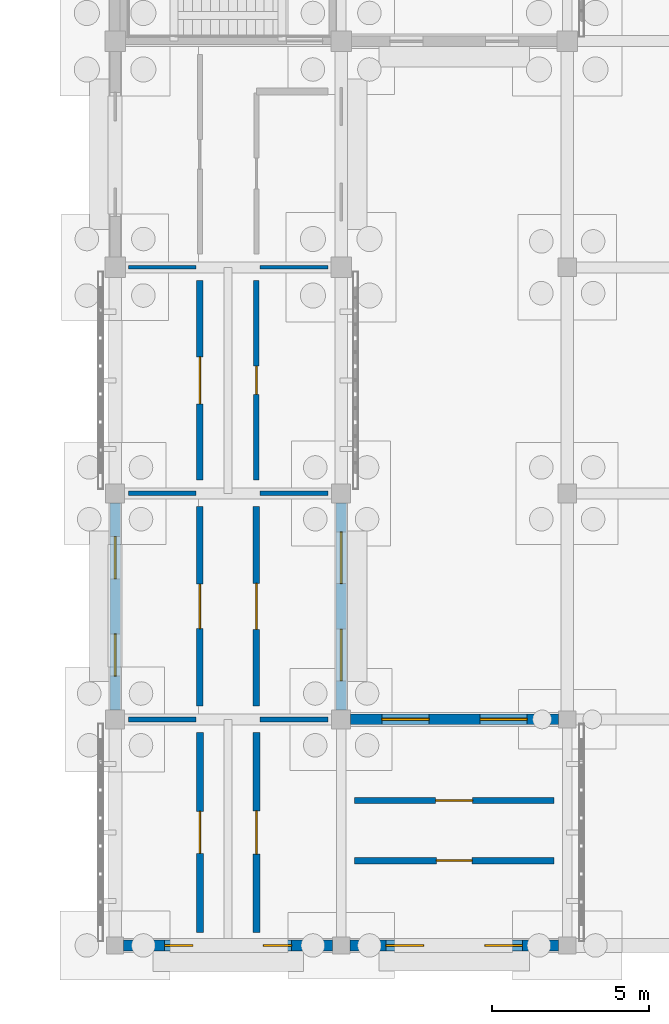
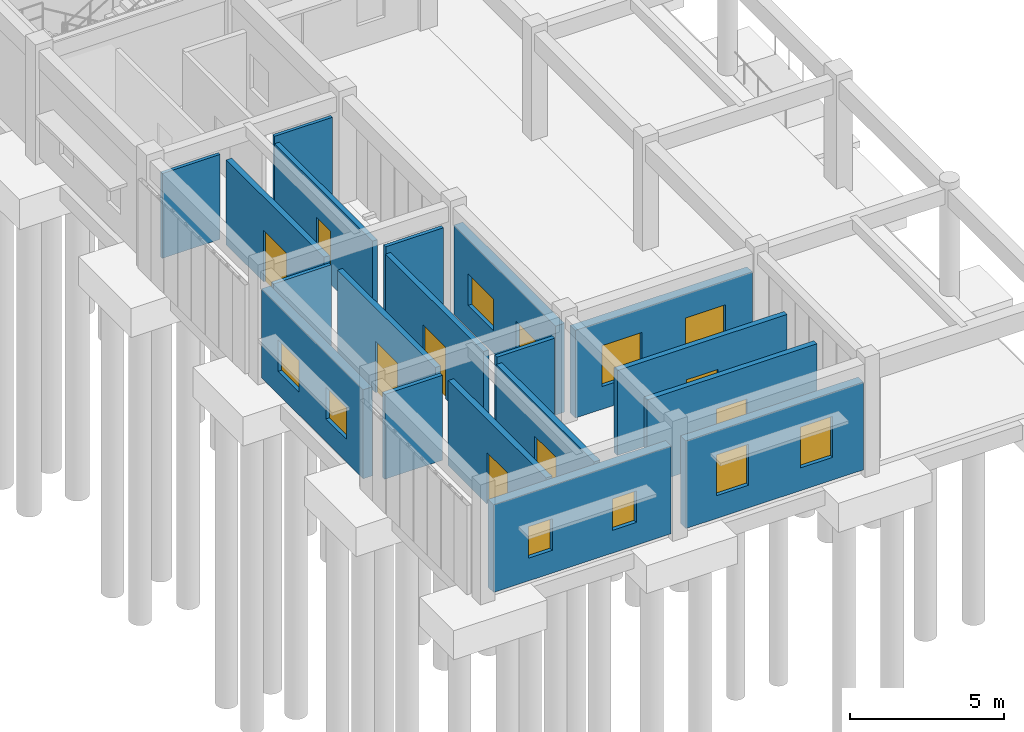
# One storey, part 62 of 111: 19 walls, 10 windows, 8 doors, 18 openings.
"""IFC4 building model written with IfcOpenShell, lengths in metres."""

from ifc_helpers import new_model, si_unit, direction, frame, frame_2d, origin, place, context, subcontext, project, spatial, rectangle, extrude, material, layer, layer_set, type_object, element, fill, save


model = new_model("IFC4")

# Units and contexts
model_context = context("Model", 3, precision=1e-05, world=origin(), true_north=direction((0.0, 1.0)))
body_context = subcontext(model_context, "Body", "Model", "MODEL_VIEW")
ifc_project = project(units=[si_unit("LENGTHUNIT", "METRE"), si_unit("AREAUNIT", "SQUARE_METRE"), si_unit("VOLUMEUNIT", "CUBIC_METRE"), si_unit("PLANEANGLEUNIT", "RADIAN"), si_unit("MASSUNIT", "GRAM", prefix="KILO")], contexts=[model_context])

# Site, building, storey
site_placement = place(None, origin())
site = spatial("IfcSite", under=ifc_project, at=site_placement, CompositionType="ELEMENT")
building_placement = place(site_placement, origin())
building = spatial("IfcBuilding", under=site, at=building_placement, Name="Aldebral Square Health Centre", CompositionType="ELEMENT")
storey_placement = place(building_placement, origin())
storey = spatial("IfcBuildingStorey", under=building, at=storey_placement, Name="L00", CompositionType="ELEMENT", Elevation=0.0)

# Wall, openings, windows
ifc_material_1 = material(Name="Cream cantera stone and concrete wall C35/45", Category="masonry")
ifc_layer_1 = layer(ifc_material_1, 0.340087890625, Name="Cream cantera stone and concrete wall C35/45", Category="masonry")
ifc_layer_set_1 = layer_set([ifc_layer_1], Name="Cream cantera stone and concrete wall C35/45")
wall_type_1 = type_object("IfcWallType", Name="EW-CAN-340", PredefinedType="SOLIDWALL", material=ifc_layer_set_1)
wall_1_placement = place(storey_placement, frame((0.0, 14.10009765625, 0.0), z_axis=(0.0, 0.0, 1.0), x_axis=(0.0, -1.0, 0.0)))
wall_1 = element("IfcWall", 1, at=wall_1_placement, inside=storey, type_object=wall_type_1, Name="L00 V6 exterior wall L00-V6-00-01-W", PredefinedType="SOLIDWALL", context=body_context, shape_type="SweptSolid", body=[
    extrude(rectangle(XDim=6.60009765625, YDim=0.340087890625, at=frame_2d((3.300048828125, 0.0))), origin(), (0.0, 0.0, 1.0), 3.52001953125),
])
opening_1_placement = place(wall_1_placement, frame((1.074951171875, 0.0, 0.89990234375)))
opening_1 = element("IfcOpeningElement", 2, at=opening_1_placement, cuts=wall_1, Name="Opening W04", PredefinedType="OPENING", context=body_context, shape_type="SweptSolid", body=[
    extrude(rectangle(XDim=1.35009765625, YDim=1.25, at=frame_2d((0.675048828125, 0.625))), frame((0.0, 0.18017578125, 0.0), z_axis=(0.0, -1.0, 0.0), x_axis=(1.0, 0.0, 0.0)), (0.0, 0.0, 1.0), 0.360107421875),
])
opening_2_placement = place(wall_1_placement, frame((4.175048828125, 0.0, 0.89990234375)))
opening_2 = element("IfcOpeningElement", 3, at=opening_2_placement, cuts=wall_1, Name="Opening W04", PredefinedType="OPENING", context=body_context, shape_type="SweptSolid", body=[
    extrude(rectangle(XDim=1.35009765625, YDim=1.25, at=frame_2d((0.675048828125, 0.625))), frame((0.0, 0.18017578125, 0.0), z_axis=(0.0, -1.0, 0.0), x_axis=(1.0, 0.0, 0.0)), (0.0, 0.0, 1.0), 0.360107421875),
])
ifc_material_2 = material(Name="Thermally broken aluminium and low-E glass", Category="aluminium")
window_type_1 = type_object("IfcWindowType", Name="WIN-W04", PartitioningType="SINGLE_PANEL", PredefinedType="WINDOW", material=ifc_material_2)
window_1_placement = place(opening_1_placement, origin())
window_1 = element("IfcWindow", 4, at=window_1_placement, inside=storey, type_object=window_type_1, Name="L00 clinical window L00-V6-00-01-W.1", OverallHeight=1.25, OverallWidth=1.35009765625, PartitioningType="SINGLE_PANEL", PredefinedType="WINDOW", context=body_context, shape_type="SweptSolid", body=[
    extrude(rectangle(XDim=1.35009765625, YDim=1.25, at=frame_2d((0.675048828125, 0.625))), frame((0.0, 0.030029296875, 0.0), z_axis=(0.0, -1.0, 0.0), x_axis=(1.0, 0.0, 0.0)), (0.0, 0.0, 1.0), 0.06005859375),
])
fill(opening_1, window_1)
window_2_placement = place(opening_2_placement, origin())
window_2 = element("IfcWindow", 5, at=window_2_placement, inside=storey, type_object=window_type_1, Name="L00 clinical window L00-V6-00-01-W.2", OverallHeight=1.25, OverallWidth=1.35009765625, PartitioningType="SINGLE_PANEL", PredefinedType="WINDOW", context=body_context, shape_type="SweptSolid", body=[
    extrude(rectangle(XDim=1.35009765625, YDim=1.25, at=frame_2d((0.675048828125, 0.625))), frame((0.0, 0.030029296875, 0.0), z_axis=(0.0, -1.0, 0.0), x_axis=(1.0, 0.0, 0.0)), (0.0, 0.0, 1.0), 0.06005859375),
])
fill(opening_2, window_2)

wall_2_placement = place(storey_placement, frame((7.199951171875, 7.5, 0.0), z_axis=(0.0, 0.0, 1.0), x_axis=(0.0, 1.0, 0.0)))
wall_2 = element("IfcWall", 6, at=wall_2_placement, inside=storey, type_object=wall_type_1, Name="L00 V6 exterior wall L00-V6-00-01-E", PredefinedType="SOLIDWALL", context=body_context, shape_type="SweptSolid", body=[
    extrude(rectangle(XDim=6.60009765625, YDim=0.340087890625, at=frame_2d((3.300048828125, 0.0))), origin(), (0.0, 0.0, 1.0), 3.52001953125),
])
opening_3_placement = place(wall_2_placement, frame((0.925048828125, 0.0, 0.89990234375)))
opening_3 = element("IfcOpeningElement", 7, at=opening_3_placement, cuts=wall_2, Name="Opening W06", PredefinedType="OPENING", context=body_context, shape_type="SweptSolid", body=[
    extrude(rectangle(XDim=1.64990234375, YDim=1.25, at=frame_2d((0.824951171875, 0.625))), frame((0.0, 0.18017578125, 0.0), z_axis=(0.0, -1.0, 0.0), x_axis=(1.0, 0.0, 0.0)), (0.0, 0.0, 1.0), 0.360107421875),
])
opening_4_placement = place(wall_2_placement, frame((4.02490234375, 0.0, 0.89990234375)))
opening_4 = element("IfcOpeningElement", 8, at=opening_4_placement, cuts=wall_2, Name="Opening W06", PredefinedType="OPENING", context=body_context, shape_type="SweptSolid", body=[
    extrude(rectangle(XDim=1.64990234375, YDim=1.25, at=frame_2d((0.824951171875, 0.625))), frame((0.0, 0.18017578125, 0.0), z_axis=(0.0, -1.0, 0.0), x_axis=(1.0, 0.0, 0.0)), (0.0, 0.0, 1.0), 0.360107421875),
])
window_type_2 = type_object("IfcWindowType", Name="WIN-W06", PartitioningType="SINGLE_PANEL", PredefinedType="WINDOW", material=ifc_material_2)
window_3_placement = place(opening_3_placement, origin())
window_3 = element("IfcWindow", 9, at=window_3_placement, inside=storey, type_object=window_type_2, Name="L00 clinical window L00-V6-00-01-E.1", OverallHeight=1.25, OverallWidth=1.64990234375, PartitioningType="SINGLE_PANEL", PredefinedType="WINDOW", context=body_context, shape_type="SweptSolid", body=[
    extrude(rectangle(XDim=1.64990234375, YDim=1.25, at=frame_2d((0.824951171875, 0.625))), frame((0.0, 0.030029296875, 0.0), z_axis=(0.0, -1.0, 0.0), x_axis=(1.0, 0.0, 0.0)), (0.0, 0.0, 1.0), 0.06005859375),
])
fill(opening_3, window_3)
window_4_placement = place(opening_4_placement, origin())
window_4 = element("IfcWindow", 10, at=window_4_placement, inside=storey, type_object=window_type_2, Name="L00 clinical window L00-V6-00-01-E.2", OverallHeight=1.25, OverallWidth=1.64990234375, PartitioningType="SINGLE_PANEL", PredefinedType="WINDOW", context=body_context, shape_type="SweptSolid", body=[
    extrude(rectangle(XDim=1.64990234375, YDim=1.25, at=frame_2d((0.824951171875, 0.625))), frame((0.0, 0.030029296875, 0.0), z_axis=(0.0, -1.0, 0.0), x_axis=(1.0, 0.0, 0.0)), (0.0, 0.0, 1.0), 0.06005859375),
])
fill(opening_4, window_4)

wall_3_placement = place(storey_placement, frame((7.47509765625, 0.0, 0.0), z_axis=(0.0, 0.0, 1.0), x_axis=(1.0, 0.0, 0.0)))
wall_3 = element("IfcWall", 11, at=wall_3_placement, inside=storey, type_object=wall_type_1, Name="L00 V6 exterior wall L00-V6-01-00-S", PredefinedType="SOLIDWALL", context=body_context, shape_type="SweptSolid", body=[
    extrude(rectangle(XDim=6.64990234375, YDim=0.340087890625, at=frame_2d((3.324951171875, 0.0))), origin(), (0.0, 0.0, 1.0), 3.469970703125),
])
opening_5_placement = place(wall_3_placement, frame((1.14990234375, 0.0, 0.89990234375)))
opening_5 = element("IfcOpeningElement", 12, at=opening_5_placement, cuts=wall_3, Name="Opening W30", PredefinedType="OPENING", context=body_context, shape_type="SweptSolid", body=[
    extrude(rectangle(XDim=1.199951171875, YDim=1.6201171875, at=frame_2d((0.60009765625, 0.81005859375))), frame((0.0, 0.18017578125, 0.0), z_axis=(0.0, -1.0, 0.0), x_axis=(1.0, 0.0, 0.0)), (0.0, 0.0, 1.0), 0.360107421875),
])
opening_6_placement = place(wall_3_placement, frame((4.300048828125, 0.0, 0.89990234375)))
opening_6 = element("IfcOpeningElement", 13, at=opening_6_placement, cuts=wall_3, Name="Opening W30", PredefinedType="OPENING", context=body_context, shape_type="SweptSolid", body=[
    extrude(rectangle(XDim=1.199951171875, YDim=1.6201171875, at=frame_2d((0.60009765625, 0.81005859375))), frame((0.0, 0.18017578125, 0.0), z_axis=(0.0, -1.0, 0.0), x_axis=(1.0, 0.0, 0.0)), (0.0, 0.0, 1.0), 0.360107421875),
])
window_type_3 = type_object("IfcWindowType", Name="WIN-W30", PartitioningType="SINGLE_PANEL", PredefinedType="WINDOW", material=ifc_material_2)
window_5_placement = place(opening_5_placement, origin())
window_5 = element("IfcWindow", 14, at=window_5_placement, inside=storey, type_object=window_type_3, Name="L00 clinical window L00-V6-01-00-S.1", OverallHeight=1.6201171875, OverallWidth=1.199951171875, PartitioningType="SINGLE_PANEL", PredefinedType="WINDOW", context=body_context, shape_type="SweptSolid", body=[
    extrude(rectangle(XDim=1.199951171875, YDim=1.6201171875, at=frame_2d((0.60009765625, 0.81005859375))), frame((0.0, 0.030029296875, 0.0), z_axis=(0.0, -1.0, 0.0), x_axis=(1.0, 0.0, 0.0)), (0.0, 0.0, 1.0), 0.06005859375),
])
fill(opening_5, window_5)
window_6_placement = place(opening_6_placement, origin())
window_6 = element("IfcWindow", 15, at=window_6_placement, inside=storey, type_object=window_type_3, Name="L00 clinical window L00-V6-01-00-S.2", OverallHeight=1.6201171875, OverallWidth=1.199951171875, PartitioningType="SINGLE_PANEL", PredefinedType="WINDOW", context=body_context, shape_type="SweptSolid", body=[
    extrude(rectangle(XDim=1.199951171875, YDim=1.6201171875, at=frame_2d((0.60009765625, 0.81005859375))), frame((0.0, 0.030029296875, 0.0), z_axis=(0.0, -1.0, 0.0), x_axis=(1.0, 0.0, 0.0)), (0.0, 0.0, 1.0), 0.06005859375),
])
fill(opening_6, window_6)

wall_4_placement = place(storey_placement, frame((14.125, 7.199951171875, 0.0), z_axis=(0.0, 0.0, 1.0), x_axis=(-1.0, 0.0, 0.0)))
wall_4 = element("IfcWall", 16, at=wall_4_placement, inside=storey, type_object=wall_type_1, Name="L00 V6 exterior wall L00-V6-01-00-N", PredefinedType="SOLIDWALL", context=body_context, shape_type="SweptSolid", body=[
    extrude(rectangle(XDim=6.625, YDim=0.340087890625, at=frame_2d((3.3125, 0.0))), origin(), (0.0, 0.0, 1.0), 3.469970703125),
])
opening_7_placement = place(wall_4_placement, frame((1.0, 0.0, 0.89990234375)))
opening_7 = element("IfcOpeningElement", 17, at=opening_7_placement, cuts=wall_4, Name="Opening W32", PredefinedType="OPENING", context=body_context, shape_type="SweptSolid", body=[
    extrude(rectangle(XDim=1.5, YDim=1.6201171875, at=frame_2d((0.75, 0.81005859375))), frame((0.0, 0.18017578125, 0.0), z_axis=(0.0, -1.0, 0.0), x_axis=(1.0, 0.0, 0.0)), (0.0, 0.0, 1.0), 0.360107421875),
])
opening_8_placement = place(wall_4_placement, frame((4.125, 0.0, 0.89990234375)))
opening_8 = element("IfcOpeningElement", 18, at=opening_8_placement, cuts=wall_4, Name="Opening W32", PredefinedType="OPENING", context=body_context, shape_type="SweptSolid", body=[
    extrude(rectangle(XDim=1.5, YDim=1.6201171875, at=frame_2d((0.75, 0.81005859375))), frame((0.0, 0.18017578125, 0.0), z_axis=(0.0, -1.0, 0.0), x_axis=(1.0, 0.0, 0.0)), (0.0, 0.0, 1.0), 0.360107421875),
])
window_type_4 = type_object("IfcWindowType", Name="WIN-W32", PartitioningType="SINGLE_PANEL", PredefinedType="WINDOW", material=ifc_material_2)
window_7_placement = place(opening_7_placement, origin())
window_7 = element("IfcWindow", 19, at=window_7_placement, inside=storey, type_object=window_type_4, Name="L00 clinical window L00-V6-01-00-N.1", OverallHeight=1.6201171875, OverallWidth=1.5, PartitioningType="SINGLE_PANEL", PredefinedType="WINDOW", context=body_context, shape_type="SweptSolid", body=[
    extrude(rectangle(XDim=1.5, YDim=1.6201171875, at=frame_2d((0.75, 0.81005859375))), frame((0.0, 0.030029296875, 0.0), z_axis=(0.0, -1.0, 0.0), x_axis=(1.0, 0.0, 0.0)), (0.0, 0.0, 1.0), 0.06005859375),
])
fill(opening_7, window_7)
window_8_placement = place(opening_8_placement, origin())
window_8 = element("IfcWindow", 20, at=window_8_placement, inside=storey, type_object=window_type_4, Name="L00 clinical window L00-V6-01-00-N.2", OverallHeight=1.6201171875, OverallWidth=1.5, PartitioningType="SINGLE_PANEL", PredefinedType="WINDOW", context=body_context, shape_type="SweptSolid", body=[
    extrude(rectangle(XDim=1.5, YDim=1.6201171875, at=frame_2d((0.75, 0.81005859375))), frame((0.0, 0.030029296875, 0.0), z_axis=(0.0, -1.0, 0.0), x_axis=(1.0, 0.0, 0.0)), (0.0, 0.0, 1.0), 0.06005859375),
])
fill(opening_8, window_8)

ifc_layer_2 = layer(ifc_material_1, 0.360107421875, Name="Cream cantera stone and concrete wall C35/45", Category="masonry")
ifc_layer_set_2 = layer_set([ifc_layer_2], Name="Cream cantera stone and concrete wall C35/45")
wall_type_2 = type_object("IfcWallType", Name="EW-CAN-360", PredefinedType="SOLIDWALL", material=ifc_layer_set_2)
wall_5_placement = place(storey_placement, frame((0.27490234375, 0.0, 0.0), z_axis=(0.0, 0.0, 1.0), x_axis=(1.0, 0.0, 0.0)))
wall_5 = element("IfcWall", 21, at=wall_5_placement, inside=storey, type_object=wall_type_2, Name="L00 V6 exterior wall L00-V6-00-00-S", PredefinedType="SOLIDWALL", context=body_context, shape_type="SweptSolid", body=[
    extrude(rectangle(XDim=6.650146484375, YDim=0.360107421875, at=frame_2d((3.3251953125, 0.0))), origin(), (0.0, 0.0, 1.0), 3.469970703125),
])
opening_9_placement = place(wall_5_placement, frame((1.300048828125, 0.0, 0.89990234375)))
opening_9 = element("IfcOpeningElement", 22, at=opening_9_placement, cuts=wall_5, Name="Opening W01", PredefinedType="OPENING", context=body_context, shape_type="SweptSolid", body=[
    extrude(rectangle(XDim=0.89990234375, YDim=1.25, at=frame_2d((0.449951171875, 0.625))), frame((0.0, 0.18994140625, 0.0), z_axis=(0.0, -1.0, 0.0), x_axis=(1.0, 0.0, 0.0)), (0.0, 0.0, 1.0), 0.380126953125),
])
opening_10_placement = place(wall_5_placement, frame((4.449951171875, 0.0, 0.89990234375)))
opening_10 = element("IfcOpeningElement", 23, at=opening_10_placement, cuts=wall_5, Name="Opening W01", PredefinedType="OPENING", context=body_context, shape_type="SweptSolid", body=[
    extrude(rectangle(XDim=0.89990234375, YDim=1.25, at=frame_2d((0.449951171875, 0.625))), frame((0.0, 0.18994140625, 0.0), z_axis=(0.0, -1.0, 0.0), x_axis=(1.0, 0.0, 0.0)), (0.0, 0.0, 1.0), 0.380126953125),
])
window_type_5 = type_object("IfcWindowType", Name="WIN-W01", PartitioningType="SINGLE_PANEL", PredefinedType="WINDOW", material=ifc_material_2)
window_9_placement = place(opening_9_placement, origin())
window_9 = element("IfcWindow", 24, at=window_9_placement, inside=storey, type_object=window_type_5, Name="L00 clinical window L00-V6-00-00-S.1", OverallHeight=1.25, OverallWidth=0.89990234375, PartitioningType="SINGLE_PANEL", PredefinedType="WINDOW", context=body_context, shape_type="SweptSolid", body=[
    extrude(rectangle(XDim=0.89990234375, YDim=1.25, at=frame_2d((0.449951171875, 0.625))), frame((0.0, 0.030029296875, 0.0), z_axis=(0.0, -1.0, 0.0), x_axis=(1.0, 0.0, 0.0)), (0.0, 0.0, 1.0), 0.06005859375),
])
fill(opening_9, window_9)
window_10_placement = place(opening_10_placement, origin())
window_10 = element("IfcWindow", 25, at=window_10_placement, inside=storey, type_object=window_type_5, Name="L00 clinical window L00-V6-00-00-S.2", OverallHeight=1.25, OverallWidth=0.89990234375, PartitioningType="SINGLE_PANEL", PredefinedType="WINDOW", context=body_context, shape_type="SweptSolid", body=[
    extrude(rectangle(XDim=0.89990234375, YDim=1.25, at=frame_2d((0.449951171875, 0.625))), frame((0.0, 0.030029296875, 0.0), z_axis=(0.0, -1.0, 0.0), x_axis=(1.0, 0.0, 0.0)), (0.0, 0.0, 1.0), 0.06005859375),
])
fill(opening_10, window_10)

# Wall, opening, door
ifc_material_3 = material(Name="Concrete C35/45 compartment wall", Category="concrete")
ifc_layer_3 = layer(ifc_material_3, 0.199951171875, Name="Concrete C35/45 compartment wall", Category="concrete")
ifc_layer_set_3 = layer_set([ifc_layer_3], Name="Concrete C35/45 compartment wall")
wall_type_3 = type_object("IfcWallType", Name="IW-CMP-200", PredefinedType="SOLIDWALL", material=ifc_layer_set_3)
wall_6_placement = place(storey_placement, frame((2.699951171875, 7.6201171875, 0.0), z_axis=(0.0, 0.0, 1.0), x_axis=(0.0, 1.0, 0.0)))
wall_6 = element("IfcWall", 26, at=wall_6_placement, inside=storey, type_object=wall_type_3, Name="L00 Social Work Interview Room 1.2W corridor wall", PredefinedType="SOLIDWALL", context=body_context, shape_type="SweptSolid", body=[
    extrude(rectangle(XDim=6.35986328125, YDim=0.199951171875, at=frame_2d((3.179931640625, 0.0))), origin(), (0.0, 0.0, 1.0), 3.360107421875),
])
opening_11_placement = place(wall_6_placement, frame((2.469970703125, 0.0, 0.0)))
opening_11 = element("IfcOpeningElement", 27, at=opening_11_placement, cuts=wall_6, Name="Opening D-0166", PredefinedType="OPENING", context=body_context, shape_type="SweptSolid", body=[
    extrude(rectangle(XDim=1.419921875, YDim=2.0400390625, at=frame_2d((0.7099609375, 1.02001953125))), frame((0.0, 0.10986328125, 0.0), z_axis=(0.0, -1.0, 0.0), x_axis=(1.0, 0.0, 0.0)), (0.0, 0.0, 1.0), 0.219970703125),
])
ifc_material_4 = material(Name="Clinical suite fire door")
door_type_1 = type_object("IfcDoorType", Name="ID-EXD-13", OperationType="NOTDEFINED", PredefinedType="DOOR", material=ifc_material_4)
door_1_placement = place(opening_11_placement, origin())
door_1 = element("IfcDoor", 28, at=door_1_placement, inside=storey, type_object=door_type_1, Name="L00 Social Work Interview Room 1.2W door", OperationType="SINGLE_SWING_LEFT", OverallHeight=2.0400390625, OverallWidth=1.419921875, PredefinedType="DOOR", context=body_context, shape_type="SweptSolid", body=[
    extrude(rectangle(XDim=1.419921875, YDim=2.0400390625, at=frame_2d((0.7099609375, 1.02001953125))), frame((0.0, 0.02490234375, 0.0), z_axis=(0.0, -1.0, 0.0), x_axis=(1.0, 0.0, 0.0)), (0.0, 0.0, 1.0), 0.050048828125),
])
fill(opening_11, door_1)

wall_7_placement = place(storey_placement, frame((4.5, 7.6201171875, 0.0), z_axis=(0.0, 0.0, 1.0), x_axis=(0.0, 1.0, 0.0)))
wall_7 = element("IfcWall", 29, at=wall_7_placement, inside=storey, type_object=wall_type_3, Name="L00 Nutrition Teaching Studio 1.2E corridor wall", PredefinedType="SOLIDWALL", context=body_context, shape_type="SweptSolid", body=[
    extrude(rectangle(XDim=6.35986328125, YDim=0.199951171875, at=frame_2d((3.179931640625, 0.0))), origin(), (0.0, 0.0, 1.0), 3.360107421875),
])
opening_12_placement = place(wall_7_placement, frame((2.449951171875, 0.0, 0.0)))
opening_12 = element("IfcOpeningElement", 30, at=opening_12_placement, cuts=wall_7, Name="Opening D-0167", PredefinedType="OPENING", context=body_context, shape_type="SweptSolid", body=[
    extrude(rectangle(XDim=1.4599609375, YDim=2.0400390625, at=frame_2d((0.72998046875, 1.02001953125))), frame((0.0, 0.10986328125, 0.0), z_axis=(0.0, -1.0, 0.0), x_axis=(1.0, 0.0, 0.0)), (0.0, 0.0, 1.0), 0.219970703125),
])
door_type_2 = type_object("IfcDoorType", Name="ID-EXD-14", OperationType="NOTDEFINED", PredefinedType="DOOR", material=ifc_material_4)
door_2_placement = place(opening_12_placement, origin())
door_2 = element("IfcDoor", 31, at=door_2_placement, inside=storey, type_object=door_type_2, Name="L00 Nutrition Teaching Studio 1.2E door", OperationType="SINGLE_SWING_RIGHT", OverallHeight=2.0400390625, OverallWidth=1.4599609375, PredefinedType="DOOR", context=body_context, shape_type="SweptSolid", body=[
    extrude(rectangle(XDim=1.4599609375, YDim=2.0400390625, at=frame_2d((0.72998046875, 1.02001953125))), frame((0.0, 0.02490234375, 0.0), z_axis=(0.0, -1.0, 0.0), x_axis=(1.0, 0.0, 0.0)), (0.0, 0.0, 1.0), 0.050048828125),
])
fill(opening_12, door_2)

wall_8_placement = place(storey_placement, frame((7.6201171875, 2.699951171875, 0.0), z_axis=(0.0, 0.0, 1.0), x_axis=(1.0, 0.0, 0.0)))
wall_8 = element("IfcWall", 32, at=wall_8_placement, inside=storey, type_object=wall_type_3, Name="L00 Health Education Classroom 2.1S corridor wall", PredefinedType="SOLIDWALL", context=body_context, shape_type="SweptSolid", body=[
    extrude(rectangle(XDim=6.35986328125, YDim=0.199951171875, at=frame_2d((3.179931640625, 0.0))), origin(), (0.0, 0.0, 1.0), 3.360107421875),
])
opening_13_placement = place(wall_8_placement, frame((2.610107421875, 0.0, 0.0)))
opening_13 = element("IfcOpeningElement", 33, at=opening_13_placement, cuts=wall_8, Name="Opening D-0175", PredefinedType="OPENING", context=body_context, shape_type="SweptSolid", body=[
    extrude(rectangle(XDim=1.139892578125, YDim=2.090087890625, at=frame_2d((0.56982421875, 1.044921875))), frame((0.0, 0.10986328125, 0.0), z_axis=(0.0, -1.0, 0.0), x_axis=(1.0, 0.0, 0.0)), (0.0, 0.0, 1.0), 0.219970703125),
])
door_type_3 = type_object("IfcDoorType", Name="ID-EXD-22", OperationType="NOTDEFINED", PredefinedType="DOOR", material=ifc_material_4)
door_3_placement = place(opening_13_placement, origin())
door_3 = element("IfcDoor", 34, at=door_3_placement, inside=storey, type_object=door_type_3, Name="L00 Health Education Classroom 2.1S door", OperationType="SINGLE_SWING_RIGHT", OverallHeight=2.090087890625, OverallWidth=1.139892578125, PredefinedType="DOOR", context=body_context, shape_type="SweptSolid", body=[
    extrude(rectangle(XDim=1.139892578125, YDim=2.090087890625, at=frame_2d((0.56982421875, 1.044921875))), frame((0.0, 0.02490234375, 0.0), z_axis=(0.0, -1.0, 0.0), x_axis=(1.0, 0.0, 0.0)), (0.0, 0.0, 1.0), 0.050048828125),
])
fill(opening_13, door_3)

wall_9_placement = place(storey_placement, frame((7.6201171875, 4.6201171875, 0.0), z_axis=(0.0, 0.0, 1.0), x_axis=(1.0, 0.0, 0.0)))
wall_9 = element("IfcWall", 35, at=wall_9_placement, inside=storey, type_object=wall_type_3, Name="L00 Social Work Interview Room 2.1N corridor wall", PredefinedType="SOLIDWALL", context=body_context, shape_type="SweptSolid", body=[
    extrude(rectangle(XDim=6.35986328125, YDim=0.199951171875, at=frame_2d((3.179931640625, 0.0))), origin(), (0.0, 0.0, 1.0), 3.360107421875),
])
opening_14_placement = place(wall_9_placement, frame((2.590087890625, 0.0, 0.0)))
opening_14 = element("IfcOpeningElement", 36, at=opening_14_placement, cuts=wall_9, Name="Opening D-0176", PredefinedType="OPENING", context=body_context, shape_type="SweptSolid", body=[
    extrude(rectangle(XDim=1.179931640625, YDim=2.090087890625, at=frame_2d((0.58984375, 1.044921875))), frame((0.0, 0.10986328125, 0.0), z_axis=(0.0, -1.0, 0.0), x_axis=(1.0, 0.0, 0.0)), (0.0, 0.0, 1.0), 0.219970703125),
])
door_type_4 = type_object("IfcDoorType", Name="ID-EXD-23", OperationType="NOTDEFINED", PredefinedType="DOOR", material=ifc_material_4)
door_4_placement = place(opening_14_placement, origin())
door_4 = element("IfcDoor", 37, at=door_4_placement, inside=storey, type_object=door_type_4, Name="L00 Social Work Interview Room 2.1N door", OperationType="SINGLE_SWING_LEFT", OverallHeight=2.090087890625, OverallWidth=1.179931640625, PredefinedType="DOOR", context=body_context, shape_type="SweptSolid", body=[
    extrude(rectangle(XDim=1.179931640625, YDim=2.090087890625, at=frame_2d((0.58984375, 1.044921875))), frame((0.0, 0.02490234375, 0.0), z_axis=(0.0, -1.0, 0.0), x_axis=(1.0, 0.0, 0.0)), (0.0, 0.0, 1.0), 0.050048828125),
])
fill(opening_14, door_4)

ifc_layer_4 = layer(ifc_material_3, 0.219970703125, Name="Concrete C35/45 compartment wall", Category="concrete")
ifc_layer_set_4 = layer_set([ifc_layer_4], Name="Concrete C35/45 compartment wall")
wall_type_4 = type_object("IfcWallType", Name="IW-CMP-220", PredefinedType="SOLIDWALL", material=ifc_layer_set_4)
wall_10_placement = place(storey_placement, frame((2.699951171875, 0.419921875, 0.0), z_axis=(0.0, 0.0, 1.0), x_axis=(0.0, 1.0, 0.0)))
wall_10 = element("IfcWall", 38, at=wall_10_placement, inside=storey, type_object=wall_type_4, Name="L00 Community Room 1.1W corridor wall", PredefinedType="SOLIDWALL", context=body_context, shape_type="SweptSolid", body=[
    extrude(rectangle(XDim=6.360107421875, YDim=0.219970703125, at=frame_2d((3.18017578125, 0.0))), origin(), (0.0, 0.0, 1.0), 3.360107421875),
])
opening_15_placement = place(wall_10_placement, frame((2.510009765625, 0.0, 0.0)))
opening_15 = element("IfcOpeningElement", 39, at=opening_15_placement, cuts=wall_10, Name="Opening D-0164", PredefinedType="OPENING", context=body_context, shape_type="SweptSolid", body=[
    extrude(rectangle(XDim=1.340087890625, YDim=2.0400390625, at=frame_2d((0.669921875, 1.02001953125))), frame((0.0, 0.1201171875, 0.0), z_axis=(0.0, -1.0, 0.0), x_axis=(1.0, 0.0, 0.0)), (0.0, 0.0, 1.0), 0.239990234375),
])
door_type_5 = type_object("IfcDoorType", Name="ID-EXD-11", OperationType="NOTDEFINED", PredefinedType="DOOR", material=ifc_material_4)
door_5_placement = place(opening_15_placement, origin())
door_5 = element("IfcDoor", 40, at=door_5_placement, inside=storey, type_object=door_type_5, Name="L00 Community Room 1.1W door", OperationType="SINGLE_SWING_LEFT", OverallHeight=2.0400390625, OverallWidth=1.340087890625, PredefinedType="DOOR", context=body_context, shape_type="SweptSolid", body=[
    extrude(rectangle(XDim=1.340087890625, YDim=2.0400390625, at=frame_2d((0.669921875, 1.02001953125))), frame((0.0, 0.02490234375, 0.0), z_axis=(0.0, -1.0, 0.0), x_axis=(1.0, 0.0, 0.0)), (0.0, 0.0, 1.0), 0.050048828125),
])
fill(opening_15, door_5)

wall_11_placement = place(storey_placement, frame((4.5, 0.419921875, 0.0), z_axis=(0.0, 0.0, 1.0), x_axis=(0.0, 1.0, 0.0)))
wall_11 = element("IfcWall", 41, at=wall_11_placement, inside=storey, type_object=wall_type_4, Name="L00 Health Education Classroom 1.1E corridor wall", PredefinedType="SOLIDWALL", context=body_context, shape_type="SweptSolid", body=[
    extrude(rectangle(XDim=6.360107421875, YDim=0.219970703125, at=frame_2d((3.18017578125, 0.0))), origin(), (0.0, 0.0, 1.0), 3.360107421875),
])
opening_16_placement = place(wall_11_placement, frame((2.489990234375, 0.0, 0.0)))
opening_16 = element("IfcOpeningElement", 42, at=opening_16_placement, cuts=wall_11, Name="Opening D-0165", PredefinedType="OPENING", context=body_context, shape_type="SweptSolid", body=[
    extrude(rectangle(XDim=1.3798828125, YDim=2.0400390625, at=frame_2d((0.68994140625, 1.02001953125))), frame((0.0, 0.1201171875, 0.0), z_axis=(0.0, -1.0, 0.0), x_axis=(1.0, 0.0, 0.0)), (0.0, 0.0, 1.0), 0.239990234375),
])
door_type_6 = type_object("IfcDoorType", Name="ID-EXD-12", OperationType="NOTDEFINED", PredefinedType="DOOR", material=ifc_material_4)
door_6_placement = place(opening_16_placement, origin())
door_6 = element("IfcDoor", 43, at=door_6_placement, inside=storey, type_object=door_type_6, Name="L00 Health Education Classroom 1.1E door", OperationType="SINGLE_SWING_RIGHT", OverallHeight=2.0400390625, OverallWidth=1.3798828125, PredefinedType="DOOR", context=body_context, shape_type="SweptSolid", body=[
    extrude(rectangle(XDim=1.3798828125, YDim=2.0400390625, at=frame_2d((0.68994140625, 1.02001953125))), frame((0.0, 0.02490234375, 0.0), z_axis=(0.0, -1.0, 0.0), x_axis=(1.0, 0.0, 0.0)), (0.0, 0.0, 1.0), 0.050048828125),
])
fill(opening_16, door_6)

ifc_material_5 = material(Name="Fire-rated acoustic gypsum partition")
ifc_layer_5 = layer(ifc_material_5, 0.179931640625, Name="Fire-rated acoustic gypsum partition")
ifc_layer_set_5 = layer_set([ifc_layer_5], Name="Fire-rated acoustic gypsum partition")
wall_type_5 = type_object("IfcWallType", Name="IW-COR-180", PredefinedType="PARTITIONING", material=ifc_layer_set_5)
wall_12_placement = place(storey_placement, frame((4.5, 14.820068359375, 0.0), z_axis=(0.0, 0.0, 1.0), x_axis=(0.0, 1.0, 0.0)))
wall_12 = element("IfcWall", 44, at=wall_12_placement, inside=storey, type_object=wall_type_5, Name="L00 Community Room 1.3E corridor wall", PredefinedType="PARTITIONING", context=body_context, shape_type="SweptSolid", body=[
    extrude(rectangle(XDim=6.35986328125, YDim=0.179931640625, at=frame_2d((3.179931640625, 0.0))), origin(), (0.0, 0.0, 1.0), 3.360107421875),
])
opening_17_placement = place(wall_12_placement, frame((2.72998046875, 0.0, 0.0)))
opening_17 = element("IfcOpeningElement", 45, at=opening_17_placement, cuts=wall_12, Name="Opening D-0169", PredefinedType="OPENING", context=body_context, shape_type="SweptSolid", body=[
    extrude(rectangle(XDim=0.89990234375, YDim=2.090087890625, at=frame_2d((0.449951171875, 1.044921875))), frame((0.0, 0.10009765625, 0.0), z_axis=(0.0, -1.0, 0.0), x_axis=(1.0, 0.0, 0.0)), (0.0, 0.0, 1.0), 0.199951171875),
])
door_type_7 = type_object("IfcDoorType", Name="ID-EXD-16", OperationType="NOTDEFINED", PredefinedType="DOOR", material=ifc_material_4)
door_7_placement = place(opening_17_placement, origin())
door_7 = element("IfcDoor", 46, at=door_7_placement, inside=storey, type_object=door_type_7, Name="L00 Community Room 1.3E door", OperationType="SINGLE_SWING_RIGHT", OverallHeight=2.090087890625, OverallWidth=0.89990234375, PredefinedType="DOOR", context=body_context, shape_type="SweptSolid", body=[
    extrude(rectangle(XDim=0.89990234375, YDim=2.090087890625, at=frame_2d((0.449951171875, 1.044921875))), frame((0.0, 0.02490234375, 0.0), z_axis=(0.0, -1.0, 0.0), x_axis=(1.0, 0.0, 0.0)), (0.0, 0.0, 1.0), 0.050048828125),
])
fill(opening_17, door_7)

ifc_material_6 = material(Name="Moisture-resistant sanitary chase wall")
ifc_layer_6 = layer(ifc_material_6, 0.2099609375, Name="Moisture-resistant sanitary chase wall")
ifc_layer_set_6 = layer_set([ifc_layer_6], Name="Moisture-resistant sanitary chase wall")
wall_type_6 = type_object("IfcWallType", Name="IW-PLB-210", PredefinedType="PLUMBINGWALL", material=ifc_layer_set_6)
wall_13_placement = place(storey_placement, frame((2.699951171875, 14.820068359375, 0.0), z_axis=(0.0, 0.0, 1.0), x_axis=(0.0, 1.0, 0.0)))
wall_13 = element("IfcWall", 47, at=wall_13_placement, inside=storey, type_object=wall_type_6, Name="L00 Accessible WC 1.3W corridor wall", PredefinedType="PLUMBINGWALL", context=body_context, shape_type="SweptSolid", body=[
    extrude(rectangle(XDim=6.35986328125, YDim=0.2099609375, at=frame_2d((3.179931640625, 0.0))), origin(), (0.0, 0.0, 1.0), 3.360107421875),
])
opening_18_placement = place(wall_13_placement, frame((2.429931640625, 0.0, 0.0)))
opening_18 = element("IfcOpeningElement", 48, at=opening_18_placement, cuts=wall_13, Name="Opening D-0168", PredefinedType="OPENING", context=body_context, shape_type="SweptSolid", body=[
    extrude(rectangle(XDim=1.5, YDim=2.0400390625, at=frame_2d((0.75, 1.02001953125))), frame((0.0, 0.114990234375, 0.0), z_axis=(0.0, -1.0, 0.0), x_axis=(1.0, 0.0, 0.0)), (0.0, 0.0, 1.0), 0.22998046875),
])
door_type_8 = type_object("IfcDoorType", Name="ID-EXD-15", OperationType="NOTDEFINED", PredefinedType="DOOR", material=ifc_material_4)
door_8_placement = place(opening_18_placement, origin())
door_8 = element("IfcDoor", 49, at=door_8_placement, inside=storey, type_object=door_type_8, Name="L00 Accessible WC 1.3W door", OperationType="SINGLE_SWING_LEFT", OverallHeight=2.0400390625, OverallWidth=1.5, PredefinedType="DOOR", context=body_context, shape_type="SweptSolid", body=[
    extrude(rectangle(XDim=1.5, YDim=2.0400390625, at=frame_2d((0.75, 1.02001953125))), frame((0.0, 0.02490234375, 0.0), z_axis=(0.0, -1.0, 0.0), x_axis=(1.0, 0.0, 0.0)), (0.0, 0.0, 1.0), 0.050048828125),
])
fill(opening_18, door_8)

# Walls
ifc_material_7 = material(Name="Acoustic clinical gypsum partition")
ifc_layer_7 = layer(ifc_material_7, 0.1201171875, Name="Acoustic clinical gypsum partition")
ifc_layer_set_7 = layer_set([ifc_layer_7], Name="Acoustic clinical gypsum partition")
wall_type_7 = type_object("IfcWallType", Name="IW-PRT-120", PredefinedType="PARTITIONING", material=ifc_layer_set_7)
wall_14_placement = place(storey_placement, frame((0.419921875, 21.60009765625, 0.0), z_axis=(0.0, 0.0, 1.0), x_axis=(1.0, 0.0, 0.0)))
element("IfcWall", 50, at=wall_14_placement, inside=storey, type_object=wall_type_7, Name="L00 Accessible WC 1.3W demising partition", PredefinedType="PARTITIONING", context=body_context, shape_type="SweptSolid", body=[
    extrude(rectangle(XDim=2.16015625, YDim=0.1201171875, at=frame_2d((1.080078125, 0.0))), origin(), (0.0, 0.0, 1.0), 3.360107421875),
])
wall_15_placement = place(storey_placement, frame((4.6201171875, 21.60009765625, 0.0), z_axis=(0.0, 0.0, 1.0), x_axis=(1.0, 0.0, 0.0)))
element("IfcWall", 51, at=wall_15_placement, inside=storey, type_object=wall_type_7, Name="L00 Community Room 1.3E demising partition", PredefinedType="PARTITIONING", context=body_context, shape_type="SweptSolid", body=[
    extrude(rectangle(XDim=2.159912109375, YDim=0.1201171875, at=frame_2d((1.080078125, 0.0))), origin(), (0.0, 0.0, 1.0), 3.360107421875),
])
ifc_layer_8 = layer(ifc_material_7, 0.135009765625, Name="Acoustic clinical gypsum partition")
ifc_layer_set_8 = layer_set([ifc_layer_8], Name="Acoustic clinical gypsum partition")
wall_type_8 = type_object("IfcWallType", Name="IW-PRT-135", PredefinedType="PARTITIONING", material=ifc_layer_set_8)
wall_16_placement = place(storey_placement, frame((0.419921875, 14.39990234375, 0.0), z_axis=(0.0, 0.0, 1.0), x_axis=(1.0, 0.0, 0.0)))
element("IfcWall", 52, at=wall_16_placement, inside=storey, type_object=wall_type_8, Name="L00 Social Work Interview Room 1.2W demising partition", PredefinedType="PARTITIONING", context=body_context, shape_type="SweptSolid", body=[
    extrude(rectangle(XDim=2.16015625, YDim=0.135009765625, at=frame_2d((1.080078125, 0.0))), origin(), (0.0, 0.0, 1.0), 3.360107421875),
])
wall_17_placement = place(storey_placement, frame((4.6201171875, 14.39990234375, 0.0), z_axis=(0.0, 0.0, 1.0), x_axis=(1.0, 0.0, 0.0)))
element("IfcWall", 53, at=wall_17_placement, inside=storey, type_object=wall_type_8, Name="L00 Nutrition Teaching Studio 1.2E demising partition", PredefinedType="PARTITIONING", context=body_context, shape_type="SweptSolid", body=[
    extrude(rectangle(XDim=2.159912109375, YDim=0.135009765625, at=frame_2d((1.080078125, 0.0))), origin(), (0.0, 0.0, 1.0), 3.360107421875),
])
ifc_layer_9 = layer(ifc_material_7, 0.14990234375, Name="Acoustic clinical gypsum partition")
ifc_layer_set_9 = layer_set([ifc_layer_9], Name="Acoustic clinical gypsum partition")
wall_type_9 = type_object("IfcWallType", Name="IW-PRT-150", PredefinedType="PARTITIONING", material=ifc_layer_set_9)
wall_18_placement = place(storey_placement, frame((0.419921875, 7.199951171875, 0.0), z_axis=(0.0, 0.0, 1.0), x_axis=(1.0, 0.0, 0.0)))
element("IfcWall", 54, at=wall_18_placement, inside=storey, type_object=wall_type_9, Name="L00 Community Room 1.1W demising partition", PredefinedType="PARTITIONING", context=body_context, shape_type="SweptSolid", body=[
    extrude(rectangle(XDim=2.16015625, YDim=0.14990234375, at=frame_2d((1.080078125, 0.0))), origin(), (0.0, 0.0, 1.0), 3.360107421875),
])
wall_19_placement = place(storey_placement, frame((4.6201171875, 7.199951171875, 0.0), z_axis=(0.0, 0.0, 1.0), x_axis=(1.0, 0.0, 0.0)))
element("IfcWall", 55, at=wall_19_placement, inside=storey, type_object=wall_type_9, Name="L00 Health Education Classroom 1.1E demising partition", PredefinedType="PARTITIONING", context=body_context, shape_type="SweptSolid", body=[
    extrude(rectangle(XDim=2.159912109375, YDim=0.14990234375, at=frame_2d((1.080078125, 0.0))), origin(), (0.0, 0.0, 1.0), 3.360107421875),
])

save(model, "model.ifc")
